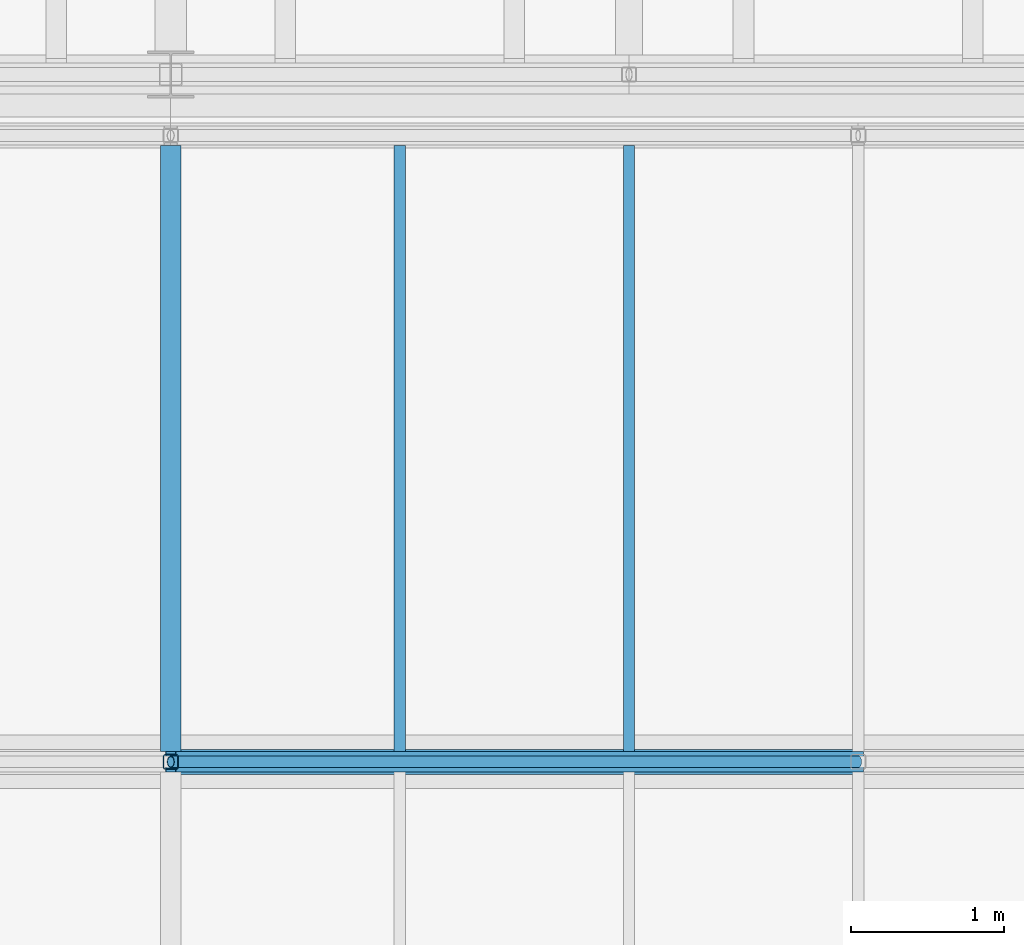
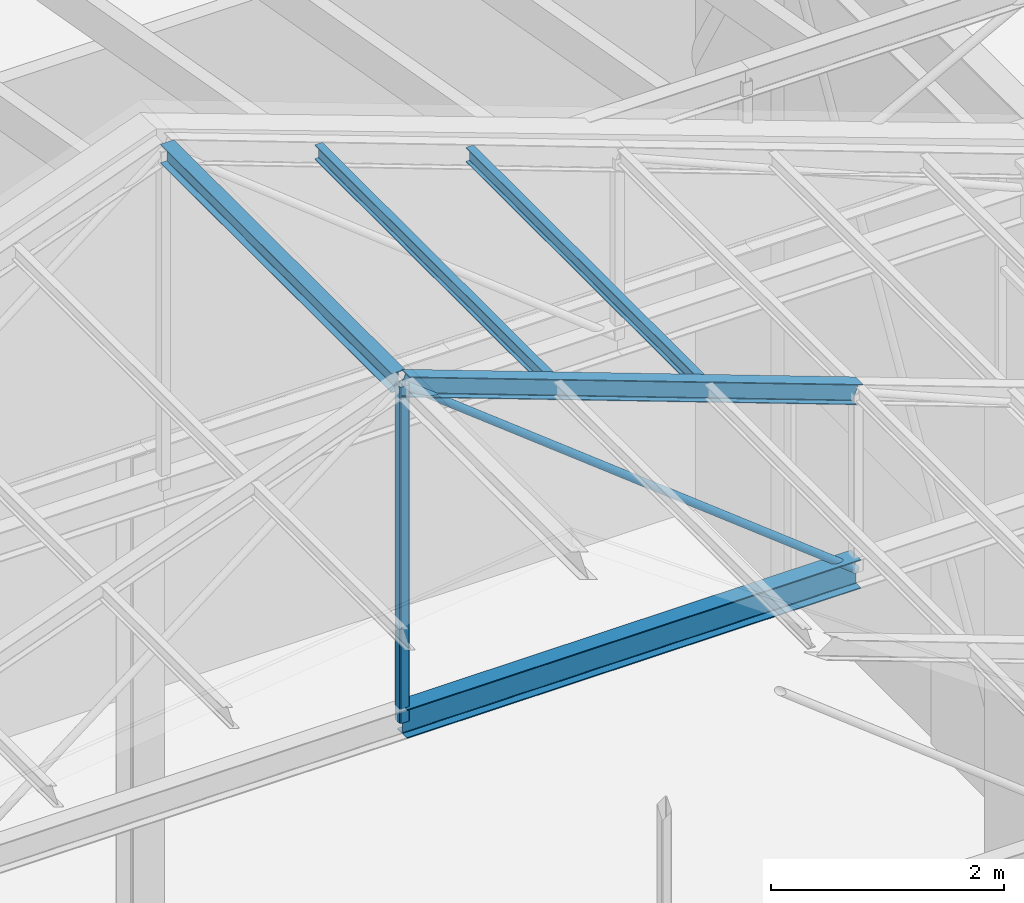
# One storey, part 20 of 90: 7 members.
"""IFC4 building model written with IfcOpenShell, lengths in metres."""

from ifc_helpers import new_model, si_unit, direction, frame, origin, origin_2d, place, context, subcontext, project, spatial, hollow_rectangle, hollow_circle, i_section, extrude, material, material_profile, profile_set, type_object, element, save


model = new_model("IFC4")

# Units and contexts
model_context = context("Model", 3, precision=1e-05, world=origin(), true_north=direction((0.0, 1.0)))
body_context = subcontext(model_context, "Body", "Model", "MODEL_VIEW")
ifc_project = project(units=[si_unit("LENGTHUNIT", "METRE"), si_unit("AREAUNIT", "SQUARE_METRE"), si_unit("VOLUMEUNIT", "CUBIC_METRE"), si_unit("PLANEANGLEUNIT", "RADIAN"), si_unit("MASSUNIT", "GRAM", prefix="KILO")], contexts=[model_context])

# Site, building, storey
site_placement = place(None, origin())
site = spatial("IfcSite", under=ifc_project, at=site_placement, CompositionType="ELEMENT")
building_placement = place(site_placement, origin())
building = spatial("IfcBuilding", under=site, at=building_placement, Name="Halyard Row Museum", CompositionType="ELEMENT")
storey_placement = place(building_placement, frame((0.0, 0.0, 13.39990234375)))
storey = spatial("IfcBuildingStorey", under=building, at=storey_placement, Name="L03", CompositionType="ELEMENT", Elevation=13.39990234375)

# Members
ifc_material_1 = material(Name="Steel Grade 300", Category="steel")
ifc_material_profile_1 = material_profile(ifc_material_1, i_section(OverallWidth=0.074951171875, OverallDepth=0.155029296875, WebThickness=0.006103515625, FlangeThickness=0.009521484375, FilletRadius=0.008056640625, at=origin_2d()), Name="150UB18.0")
ifc_profile_set_1 = profile_set([ifc_material_profile_1], Name="Steel Grade 300")
member_type_1 = type_object("IfcMemberType", Name="Purlin 150UB18.0", PredefinedType="PURLIN", material=ifc_profile_set_1)
for number, where, z_axis, x_axis, name in (
    (1, (46.5, 13.56640625, 10.237060546875), (0.0, 1.0, 0.0), (-1.0, 0.0, 0.0), "V4 purlin PR5.4"),
    (2, (48.0, 13.56640625, 9.685302734375), (0.0, 1.0, 0.0), (-1.0, 0.0, 0.0), "V4 purlin PR4.4"),
):
    element("IfcMember", number, at=place(storey_placement, frame(where, z_axis=z_axis, x_axis=x_axis)), inside=storey, type_object=member_type_1, Name=name, PredefinedType="PURLIN", context=body_context, shape_type="SweptSolid", body=[
        extrude(i_section(OverallWidth=0.074951171875, OverallDepth=0.155029296875, WebThickness=0.006103515625, FlangeThickness=0.009521484375, FilletRadius=0.008056640625, at=origin_2d()), origin(), (0.0, 0.0, 1.0), 3.967041015625),
    ])
ifc_material_2 = material(Name="Steel Grade 300", Category="steel")
ifc_material_profile_2 = material_profile(ifc_material_2, i_section(OverallWidth=0.133056640625, OverallDepth=0.20166015625, WebThickness=0.0048828125, FlangeThickness=0.007080078125, FilletRadius=0.0087890625, at=origin_2d()), Name="200UB22.3")
ifc_profile_set_2 = profile_set([ifc_material_profile_2], Name="Steel Grade 300")
member_type_2 = type_object("IfcMemberType", Name="Purlin 200UB22.3 ridge", PredefinedType="PURLIN", material=ifc_profile_set_2)
member_1_placement = place(storey_placement, frame((45.0, 13.56640625, 10.7548828125), z_axis=(0.0, 1.0, 0.0), x_axis=(-1.0, 0.0, 0.0)))
element("IfcMember", 3, at=member_1_placement, inside=storey, type_object=member_type_2, Name="V4 purlin PRG.4", PredefinedType="PURLIN", context=body_context, shape_type="SweptSolid", body=[
    extrude(i_section(OverallWidth=0.133056640625, OverallDepth=0.20166015625, WebThickness=0.0048828125, FlangeThickness=0.007080078125, FilletRadius=0.0087890625, at=origin_2d()), origin(), (0.0, 0.0, 1.0), 3.967041015625),
])
ifc_material_3 = material(Name="Steel Grade C250L0", Category="steel")
ifc_material_profile_3 = material_profile(ifc_material_3, hollow_circle(Radius=0.0380859375, WallThickness=0.00439453125, at=origin_2d()), Name="76.1x4.5CHS")
ifc_profile_set_3 = profile_set([ifc_material_profile_3], Name="Steel Grade C250L0")
member_type_3 = type_object("IfcMemberType", Name="Roof truss diagonal 76.1x4.5CHS", PredefinedType="BRACE", material=ifc_profile_set_3)
member_2_placement = place(storey_placement, frame((49.5, 13.5, 7.2490234375), z_axis=(-0.787340018202, 0.0, 0.616519014904), x_axis=(0.0, -1.0, 0.0)))
element("IfcMember", 4, at=member_2_placement, inside=storey, type_object=member_type_3, Name="V4RT4 diagonal 3", PredefinedType="BRACE", context=body_context, shape_type="SweptSolid", body=[
    extrude(hollow_circle(Radius=0.0380859375, WallThickness=0.00439453125, at=origin_2d()), origin(), (0.0, 0.0, 1.0), 5.71533203125),
])
ifc_material_4 = material(Name="Steel Grade C350L0", Category="steel")
ifc_material_profile_4 = material_profile(ifc_material_4, hollow_rectangle(XDim=0.10009765625, YDim=0.10009765625, WallThickness=0.006103515625, InnerFilletRadius=0.009033203125, OuterFilletRadius=0.014892578125, at=origin_2d()), Name="100x100x6.0SHS")
ifc_profile_set_4 = profile_set([ifc_material_profile_4], Name="Steel Grade C350L0")
member_type_4 = type_object("IfcMemberType", Name="Roof truss post 100x100x6.0SHS", PredefinedType="POST", material=ifc_profile_set_4)
member_3_placement = place(storey_placement, frame((45.0, 13.5, 7.2490234375), z_axis=(0.0, 0.0, 1.0), x_axis=(1.0, 0.0, 0.0)))
element("IfcMember", 5, at=member_3_placement, inside=storey, type_object=member_type_4, Name="V4RT4 post 2", PredefinedType="POST", context=body_context, shape_type="SweptSolid", body=[
    extrude(hollow_rectangle(XDim=0.10009765625, YDim=0.10009765625, WallThickness=0.006103515625, InnerFilletRadius=0.009033203125, OuterFilletRadius=0.014892578125, at=origin_2d()), origin(), (0.0, 0.0, 1.0), 3.523681640625),
])
ifc_material_5 = material(Name="Steel Grade 300", Category="steel")
ifc_material_profile_5 = material_profile(ifc_material_5, i_section(OverallWidth=0.133056640625, OverallDepth=0.20166015625, WebThickness=0.0048828125, FlangeThickness=0.007080078125, FilletRadius=0.0087890625, at=origin_2d()), Name="200UB22.3")
ifc_profile_set_5 = profile_set([ifc_material_profile_5], Name="Steel Grade 300")
member_type_5 = type_object("IfcMemberType", Name="Roof truss rafter 200UB22.3 rafter", PredefinedType="RAFTER", material=ifc_profile_set_5)
member_4_placement = place(storey_placement, frame((45.0, 13.5, 10.772705078125), z_axis=(0.938520336973, 0.0, -0.345223952077), x_axis=(0.0, 1.0, 0.0)))
element("IfcMember", 6, at=member_4_placement, inside=storey, type_object=member_type_5, Name="V4RT4 rafter 3", PredefinedType="RAFTER", context=body_context, shape_type="SweptSolid", body=[
    extrude(i_section(OverallWidth=0.133056640625, OverallDepth=0.20166015625, WebThickness=0.0048828125, FlangeThickness=0.007080078125, FilletRadius=0.0087890625, at=origin_2d()), origin(), (0.0, 0.0, 1.0), 4.794677734375),
])
ifc_material_6 = material(Name="Steel Grade 300", Category="steel")
ifc_material_profile_6 = material_profile(ifc_material_6, i_section(OverallWidth=0.1650390625, OverallDepth=0.303955078125, WebThickness=0.006103515625, FlangeThickness=0.01025390625, FilletRadius=0.011474609375, at=origin_2d()), Name="310UB40.4")
ifc_profile_set_6 = profile_set([ifc_material_profile_6], Name="Steel Grade 300")
member_type_6 = type_object("IfcMemberType", Name="Roof truss tie 310UB40.4 tie", PredefinedType="CHORD", material=ifc_profile_set_6)
member_5_placement = place(storey_placement, frame((45.0, 13.5, 7.2490234375), z_axis=(1.0, 0.0, 0.0), x_axis=(0.0, 1.0, 0.0)))
element("IfcMember", 7, at=member_5_placement, inside=storey, type_object=member_type_6, Name="V4RT4 tie 3", PredefinedType="CHORD", context=body_context, shape_type="SweptSolid", body=[
    extrude(i_section(OverallWidth=0.1650390625, OverallDepth=0.303955078125, WebThickness=0.006103515625, FlangeThickness=0.01025390625, FilletRadius=0.011474609375, at=origin_2d()), origin(), (0.0, 0.0, 1.0), 4.5),
])

save(model, "model.ifc")
